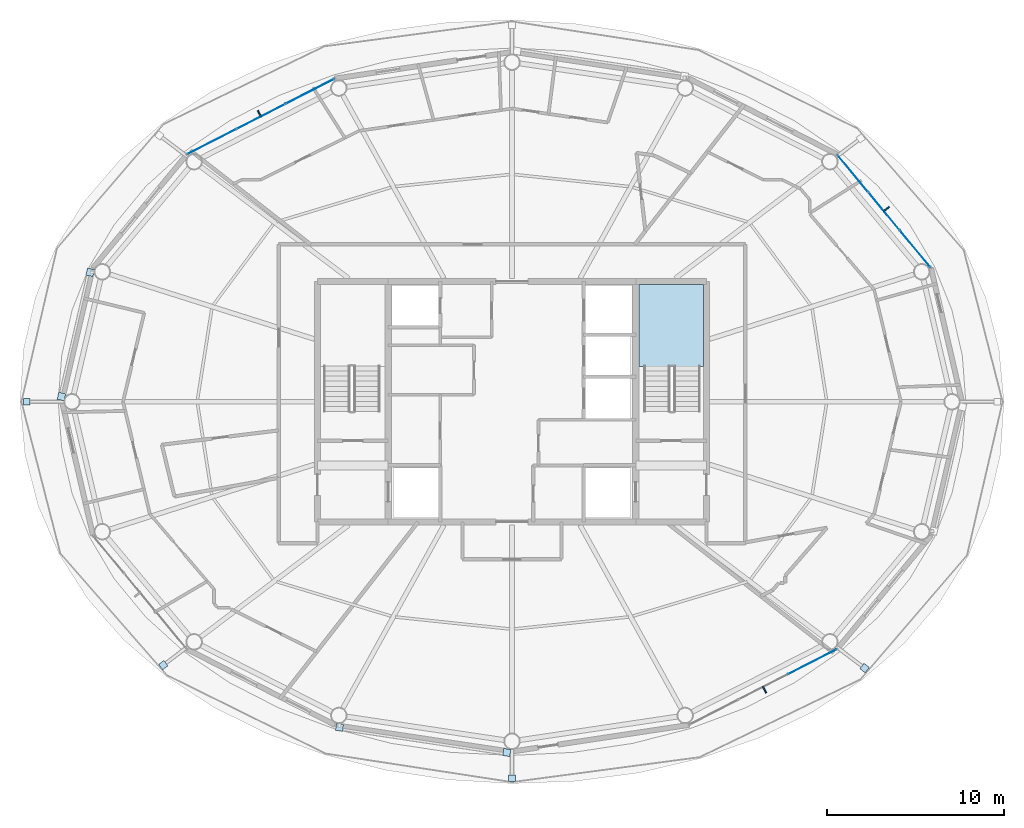
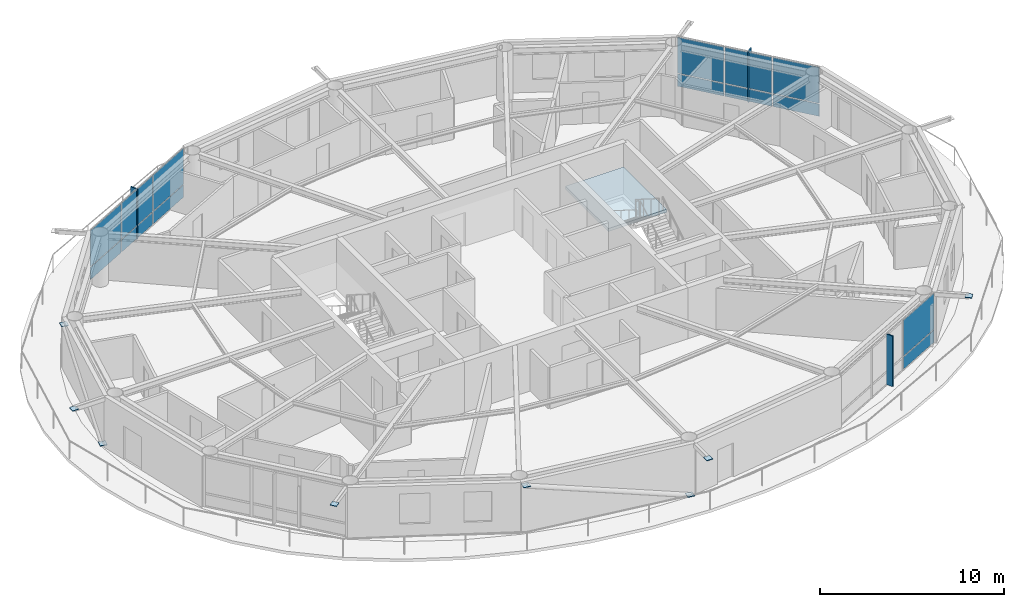
# One storey, part 14 of 22: 25 plates, 1 slab, 4 elements without a shape of their own.
"""IFC4 building model written with IfcOpenShell, lengths in metres."""

from ifc_helpers import new_model, si_unit, direction, frame, origin, origin_2d, place, context, subcontext, project, spatial, polyline, rectangle, outline, extrude, material, layer, layer_set, type_object, element, aggregate, save


model = new_model("IFC4")

# Units and contexts
model_context = context("Model", 3, precision=1e-05, world=origin(), true_north=direction((0.0, 1.0)))
body_context = subcontext(model_context, "Body", "Model", "MODEL_VIEW")
ifc_project = project(units=[si_unit("LENGTHUNIT", "METRE"), si_unit("AREAUNIT", "SQUARE_METRE"), si_unit("VOLUMEUNIT", "CUBIC_METRE"), si_unit("PLANEANGLEUNIT", "RADIAN"), si_unit("MASSUNIT", "GRAM", prefix="KILO")], contexts=[model_context])

# Site, building, storey
site_placement = place(None, origin())
site = spatial("IfcSite", under=ifc_project, at=site_placement, CompositionType="ELEMENT")
building_placement = place(site_placement, origin())
building = spatial("IfcBuilding", under=site, at=building_placement, Name="Sarneth Arch Tower", CompositionType="ELEMENT")
storey_placement = place(building_placement, frame((0.0, 0.0, 305.39990234375)))
storey = spatial("IfcBuildingStorey", under=building, at=storey_placement, Name="L79", CompositionType="ELEMENT", Elevation=305.39990234375)

# Curtain wall, plates
ifc_material_1 = material(Name="Anodised aluminium Type AA25 and solar-control low-e laminated IGU", Category="aluminium")
ifc_layer_1 = layer(ifc_material_1, 0.179931640625)
ifc_layer_set_1 = layer_set([ifc_layer_1], Name="Anodised aluminium Type AA25 and solar-control low-e laminated IGU")
curtain_wall_type = type_object("IfcCurtainWallType", Name="CW-RES-HIGH", PredefinedType="NOTDEFINED", material=ifc_layer_set_1)
curtain_wall_1_placement = place(storey_placement, origin())
curtain_wall_1 = element("IfcCurtainWall", 1, at=curtain_wall_1_placement, inside=storey, type_object=curtain_wall_type, Name="L79 Unitised curtain wall facet 02", PredefinedType="NOTDEFINED")
ifc_material_2 = material(Name="Solar-control low-e laminated IGU", Category="glass")
ifc_layer_2 = layer(ifc_material_2, 0.028076171875)
ifc_layer_set_2 = layer_set([ifc_layer_2], Name="Solar-control low-e laminated IGU")
plate_type_1 = type_object("IfcPlateType", Name="CW-PANEL", PredefinedType="CURTAIN_PANEL", material=ifc_layer_set_2)
plate_1_placement = place(storey_placement, frame((70.799072265625, 50.650634765625, 0.06005859375), z_axis=(0.0, 0.0, 1.0), x_axis=(-0.637610094184, 0.770359245933, 0.0)))
plate_1 = element("IfcPlate", 2, at=plate_1_placement, type_object=plate_type_1, Name="Curtain wall glazed vision pane CW-L79-F02/P00-00", PredefinedType="CURTAIN_PANEL", context=body_context, shape_type="SweptSolid", body=[
    extrude(rectangle(XDim=2.686767578125, YDim=0.028076171875, at=origin_2d()), origin(), (0.0, 0.0, 1.0), 0.81005859375),
])
plate_2_placement = place(storey_placement, frame((70.799072265625, 50.650634765625, 0.93017578125), z_axis=(0.0, 0.0, 1.0), x_axis=(-0.637610094184, 0.770359245933, 0.0)))
plate_2 = element("IfcPlate", 3, at=plate_2_placement, type_object=plate_type_1, Name="Curtain wall glazed vision pane CW-L79-F02/P00-01", PredefinedType="CURTAIN_PANEL", context=body_context, shape_type="SweptSolid", body=[
    extrude(rectangle(XDim=2.686767578125, YDim=0.028076171875, at=origin_2d()), origin(), (0.0, 0.0, 1.0), 2.3798828125),
])
plate_3_placement = place(storey_placement, frame((69.0380859375, 52.778076171875, 0.06005859375), z_axis=(0.0, 0.0, 1.0), x_axis=(-0.637610094184, 0.770359245933, 0.0)))
plate_3 = element("IfcPlate", 4, at=plate_3_placement, type_object=plate_type_1, Name="Curtain wall glazed vision pane CW-L79-F02/P01-00", PredefinedType="CURTAIN_PANEL", context=body_context, shape_type="SweptSolid", body=[
    extrude(rectangle(XDim=2.716552734375, YDim=0.028076171875, at=origin_2d()), origin(), (0.0, 0.0, 1.0), 0.81005859375),
])
plate_4_placement = place(storey_placement, frame((69.0380859375, 52.778076171875, 0.93017578125), z_axis=(0.0, 0.0, 1.0), x_axis=(-0.637610094184, 0.770359245933, 0.0)))
plate_4 = element("IfcPlate", 5, at=plate_4_placement, type_object=plate_type_1, Name="Curtain wall glazed vision pane CW-L79-F02/P01-01", PredefinedType="CURTAIN_PANEL", context=body_context, shape_type="SweptSolid", body=[
    extrude(rectangle(XDim=2.716552734375, YDim=0.028076171875, at=origin_2d()), origin(), (0.0, 0.0, 1.0), 2.3798828125),
])
plate_5_placement = place(storey_placement, frame((67.27734375, 54.905517578125, 0.06005859375), z_axis=(0.0, 0.0, 1.0), x_axis=(-0.637610094184, 0.770359245933, 0.0)))
plate_5 = element("IfcPlate", 6, at=plate_5_placement, type_object=plate_type_1, Name="Curtain wall glazed vision pane CW-L79-F02/P02-00", PredefinedType="CURTAIN_PANEL", context=body_context, shape_type="SweptSolid", body=[
    extrude(rectangle(XDim=2.686767578125, YDim=0.028076171875, at=origin_2d()), origin(), (0.0, 0.0, 1.0), 0.81005859375),
])
plate_6_placement = place(storey_placement, frame((67.27734375, 54.905517578125, 0.93017578125), z_axis=(0.0, 0.0, 1.0), x_axis=(-0.637610094184, 0.770359245933, 0.0)))
plate_6 = element("IfcPlate", 7, at=plate_6_placement, type_object=plate_type_1, Name="Curtain wall glazed vision pane CW-L79-F02/P02-01", PredefinedType="CURTAIN_PANEL", context=body_context, shape_type="SweptSolid", body=[
    extrude(rectangle(XDim=2.686767578125, YDim=0.028076171875, at=origin_2d()), origin(), (0.0, 0.0, 1.0), 2.3798828125),
])
aggregate(curtain_wall_1, [plate_1, plate_2, plate_3, plate_4, plate_5, plate_6])

curtain_wall_2_placement = place(storey_placement, origin())
curtain_wall_2 = element("IfcCurtainWall", 8, at=curtain_wall_2_placement, inside=storey, type_object=curtain_wall_type, Name="L79 Unitised curtain wall facet 06", PredefinedType="NOTDEFINED")
plate_7_placement = place(storey_placement, frame((36.5791015625, 59.552978515625, 0.06005859375), z_axis=(0.0, 0.0, 1.0), x_axis=(-0.890009540525, -0.455941901753, 0.0)))
plate_7 = element("IfcPlate", 9, at=plate_7_placement, type_object=plate_type_1, Name="Curtain wall glazed vision pane CW-L79-F06/P00-00", PredefinedType="CURTAIN_PANEL", context=body_context, shape_type="SweptSolid", body=[
    extrude(rectangle(XDim=3.044677734375, YDim=0.028076171875, at=origin_2d()), origin(), (0.0, 0.0, 1.0), 0.81005859375),
])
plate_8_placement = place(storey_placement, frame((36.5791015625, 59.552978515625, 0.93017578125), z_axis=(0.0, 0.0, 1.0), x_axis=(-0.890009540525, -0.455941901753, 0.0)))
plate_8 = element("IfcPlate", 10, at=plate_8_placement, type_object=plate_type_1, Name="Curtain wall glazed vision pane CW-L79-F06/P00-01", PredefinedType="CURTAIN_PANEL", context=body_context, shape_type="SweptSolid", body=[
    extrude(rectangle(XDim=3.044677734375, YDim=0.028076171875, at=origin_2d()), origin(), (0.0, 0.0, 1.0), 2.3798828125),
])
plate_9_placement = place(storey_placement, frame((33.802490234375, 58.13037109375, 0.06005859375), z_axis=(0.0, 0.0, 1.0), x_axis=(-0.890009540525, -0.455941901753, 0.0)))
plate_9 = element("IfcPlate", 11, at=plate_9_placement, type_object=plate_type_1, Name="Curtain wall glazed vision pane CW-L79-F06/P01-00", PredefinedType="CURTAIN_PANEL", context=body_context, shape_type="SweptSolid", body=[
    extrude(rectangle(XDim=3.07470703125, YDim=0.028076171875, at=origin_2d()), origin(), (0.0, 0.0, 1.0), 0.81005859375),
])
plate_10_placement = place(storey_placement, frame((33.802490234375, 58.13037109375, 0.93017578125), z_axis=(0.0, 0.0, 1.0), x_axis=(-0.890009540525, -0.455941901753, 0.0)))
plate_10 = element("IfcPlate", 12, at=plate_10_placement, type_object=plate_type_1, Name="Curtain wall glazed vision pane CW-L79-F06/P01-01", PredefinedType="CURTAIN_PANEL", context=body_context, shape_type="SweptSolid", body=[
    extrude(rectangle(XDim=3.07470703125, YDim=0.028076171875, at=origin_2d()), origin(), (0.0, 0.0, 1.0), 2.3798828125),
])
plate_11_placement = place(storey_placement, frame((31.02587890625, 56.7080078125, 0.06005859375), z_axis=(0.0, 0.0, 1.0), x_axis=(-0.890009540525, -0.455941901753, 0.0)))
plate_11 = element("IfcPlate", 13, at=plate_11_placement, type_object=plate_type_1, Name="Curtain wall glazed vision pane CW-L79-F06/P02-00", PredefinedType="CURTAIN_PANEL", context=body_context, shape_type="SweptSolid", body=[
    extrude(rectangle(XDim=3.044677734375, YDim=0.028076171875, at=origin_2d()), origin(), (0.0, 0.0, 1.0), 0.81005859375),
])
plate_12_placement = place(storey_placement, frame((31.02587890625, 56.7080078125, 0.93017578125), z_axis=(0.0, 0.0, 1.0), x_axis=(-0.890009540525, -0.455941901753, 0.0)))
plate_12 = element("IfcPlate", 14, at=plate_12_placement, type_object=plate_type_1, Name="Curtain wall glazed vision pane CW-L79-F06/P02-01", PredefinedType="CURTAIN_PANEL", context=body_context, shape_type="SweptSolid", body=[
    extrude(rectangle(XDim=3.044677734375, YDim=0.028076171875, at=origin_2d()), origin(), (0.0, 0.0, 1.0), 2.3798828125),
])
aggregate(curtain_wall_2, [plate_7, plate_8, plate_9, plate_10, plate_11, plate_12])

curtain_wall_3_placement = place(storey_placement, origin())
curtain_wall_3 = element("IfcCurtainWall", 15, at=curtain_wall_3_placement, inside=storey, type_object=curtain_wall_type, Name="L79 Unitised curtain wall facet 14", PredefinedType="NOTDEFINED")
plate_13_placement = place(storey_placement, frame((64.97412109375, 27.2919921875, 0.06005859375), z_axis=(0.0, 0.0, 1.0), x_axis=(0.890009540525, 0.455941901753, 0.0)))
plate_13 = element("IfcPlate", 16, at=plate_13_placement, type_object=plate_type_1, Name="Curtain wall glazed vision pane CW-L79-F14/P02-00", PredefinedType="CURTAIN_PANEL", context=body_context, shape_type="SweptSolid", body=[
    extrude(rectangle(XDim=3.044677734375, YDim=0.028076171875, at=origin_2d()), origin(), (0.0, 0.0, 1.0), 0.81005859375),
])
plate_14_placement = place(storey_placement, frame((64.97412109375, 27.2919921875, 0.93017578125), z_axis=(0.0, 0.0, 1.0), x_axis=(0.890009540525, 0.455941901753, 0.0)))
plate_14 = element("IfcPlate", 17, at=plate_14_placement, type_object=plate_type_1, Name="Curtain wall glazed vision pane CW-L79-F14/P02-01", PredefinedType="CURTAIN_PANEL", context=body_context, shape_type="SweptSolid", body=[
    extrude(rectangle(XDim=3.044677734375, YDim=0.028076171875, at=origin_2d()), origin(), (0.0, 0.0, 1.0), 2.3798828125),
])
aggregate(curtain_wall_3, [plate_13, plate_14])

# Plates
ifc_material_3 = material(Name="Steel S355", Category="steel")
ifc_layer_3 = layer(ifc_material_3, 0.035888671875)
ifc_layer_set_3 = layer_set([ifc_layer_3], Name="Steel S355")
plate_type_2 = type_object("IfcPlateType", Name="PLT-GUSSET-30", PredefinedType="SHEET", material=ifc_layer_set_3)
for number, where, z_axis, x_axis, name in (
    (18, (22.5234375, 42.292236328125, 0.001953125), (0.0, 0.0, 1.0), (-0.225461202458, -0.974252147129, 0.0), "Steel end cap plate GP-1"),
    (19, (24.148193359375, 49.3154296875, 3.07421875), (0.0, 0.0, 1.0), (-0.225461202458, -0.974252147129, 0.0), "Steel end cap plate GP-1"),
):
    element("IfcPlate", number, at=place(storey_placement, frame(where, z_axis=z_axis, x_axis=x_axis)), inside=storey, type_object=plate_type_2, Name=name, PredefinedType="SHEET", context=body_context, shape_type="SweptSolid", body=[
        extrude(rectangle(XDim=0.404052734375, YDim=0.404052734375, at=origin_2d()), origin(), (0.0, 0.0, 1.0), 0.035888671875),
    ])
for number, where, z_axis, x_axis, name in (
    (20, (20.5537109375, 42.0, 3.1923828125), (0.0, 0.0, 1.0), (-1.0, 0.0, 0.0), "Steel end cap plate GP-1"),
    (21, (28.279296875, 27.105224609375, 3.1923828125), (0.0, 0.0, 1.0), (-0.798004853043, -0.602651022168, 0.0), "Steel end cap plate GP-1"),
):
    element("IfcPlate", number, at=place(storey_placement, frame(where, z_axis=z_axis, x_axis=x_axis)), inside=storey, type_object=plate_type_2, Name=name, PredefinedType="SHEET", context=body_context, shape_type="SweptSolid", body=[
        extrude(rectangle(XDim=0.3798828125, YDim=0.3798828125, at=origin_2d()), origin(), (0.0, 0.0, 1.0), 0.035888671875),
    ])
for number, where, z_axis, x_axis, name in (
    (22, (47.703369140625, 22.16455078125, 0.001953125), (0.0, 0.0, 1.0), (0.988860535448, -0.148845024885, 0.0), "Steel end cap plate GP-1"),
    (23, (38.245849609375, 23.588623046875, 3.07421875), (0.0, 0.0, 1.0), (0.988860535448, -0.148845024885, 0.0), "Steel end cap plate GP-1"),
):
    element("IfcPlate", number, at=place(storey_placement, frame(where, z_axis=z_axis, x_axis=x_axis)), inside=storey, type_object=plate_type_2, Name=name, PredefinedType="SHEET", context=body_context, shape_type="SweptSolid", body=[
        extrude(rectangle(XDim=0.404052734375, YDim=0.404052734375, at=origin_2d()), origin(), (0.0, 0.0, 1.0), 0.035888671875),
    ])
for number, where, z_axis, x_axis, name in (
    (24, (48.0, 20.713134765625, 3.1923828125), (0.0, 0.0, 1.0), (0.0, -1.0, 0.0), "Steel end cap plate GP-1"),
    (25, (67.940185546875, 26.939453125, 3.1923828125), (0.0, 0.0, 1.0), (0.798004853043, -0.602651022168, 0.0), "Steel end cap plate GP-1"),
):
    element("IfcPlate", number, at=place(storey_placement, frame(where, z_axis=z_axis, x_axis=x_axis)), inside=storey, type_object=plate_type_2, Name=name, PredefinedType="SHEET", context=body_context, shape_type="SweptSolid", body=[
        extrude(rectangle(XDim=0.3798828125, YDim=0.3798828125, at=origin_2d()), origin(), (0.0, 0.0, 1.0), 0.035888671875),
    ])
ifc_material_4 = material(Name="Extruded glazed terracotta baguette fin on Aluminium 6063-T6 carrier", Category="masonry")
ifc_layer_4 = layer(ifc_material_4, 0.080078125)
ifc_layer_set_4 = layer_set([ifc_layer_4], Name="Extruded glazed terracotta baguette fin on Aluminium 6063-T6 carrier")
plate_type_3 = type_object("IfcPlateType", Name="SHADE-TERRA-FIN", PredefinedType="SHEET", material=ifc_layer_set_4)
for number, where, z_axis, x_axis, name in (
    (26, (69.169189453125, 52.886474609375, 0.010009765625), (0.0, 0.0, 1.0), (0.770401979567, 0.63755845997, 0.0), "L79 Terracotta vertical shading fin 02"),
    (27, (33.724853515625, 58.28173828125, 0.010009765625), (0.0, 0.0, 1.0), (-0.456010959102, 0.889974159838, 0.0), "L79 Terracotta vertical shading fin 06"),
    (28, (62.275146484375, 25.71826171875, 0.010009765625), (0.0, 0.0, 1.0), (0.456010959102, -0.889974159838, 0.0), "L79 Terracotta vertical shading fin 14"),
):
    element("IfcPlate", number, at=place(storey_placement, frame(where, z_axis=z_axis, x_axis=x_axis)), inside=storey, type_object=plate_type_3, Name=name, PredefinedType="SHEET", context=body_context, shape_type="SweptSolid", body=[
        extrude(rectangle(XDim=0.419921875, YDim=0.080078125, at=origin_2d()), origin(), (0.0, 0.0, 1.0), 3.35009765625),
    ])

# Stair, slab
ifc_material_5 = material(Name="Concrete C50/60", Category="concrete")
stair_type = type_object("IfcStairType", Name="STAIR-CORE-RC", PredefinedType="HALF_TURN_STAIR", material=ifc_material_5)
stair_placement = place(storey_placement, origin())
stair = element("IfcStair", 29, at=stair_placement, inside=storey, type_object=stair_type, Name="L79 Core Exit Stair 2", PredefinedType="HALF_TURN_STAIR")
ifc_material_6 = material(Name="Concrete C50/60", Category="concrete")
ifc_layer_5 = layer(ifc_material_6, 0.199951171875)
ifc_layer_set_5 = layer_set([ifc_layer_5], Name="Concrete C50/60")
slab_type = type_object("IfcSlabType", Name="SLAB-LANDING-200", PredefinedType="LANDING", material=ifc_layer_set_5)
slab_placement = place(storey_placement, frame((0.0, 0.0, 1.60009765625)))
slab = element("IfcSlab", 30, at=slab_placement, type_object=slab_type, Name="ST-2 landing 1", PredefinedType="LANDING", context=body_context, shape_type="SweptSolid", body=[
    extrude(outline(polyline([(55.175048828125, 43.985107421875), (58.824951171875, 43.985107421875), (58.824951171875, 48.625), (55.175048828125, 48.625), (55.175048828125, 43.985107421875)])), origin(), (0.0, 0.0, 1.0), 0.199951171875),
])
aggregate(stair, [slab])

save(model, "model.ifc")
